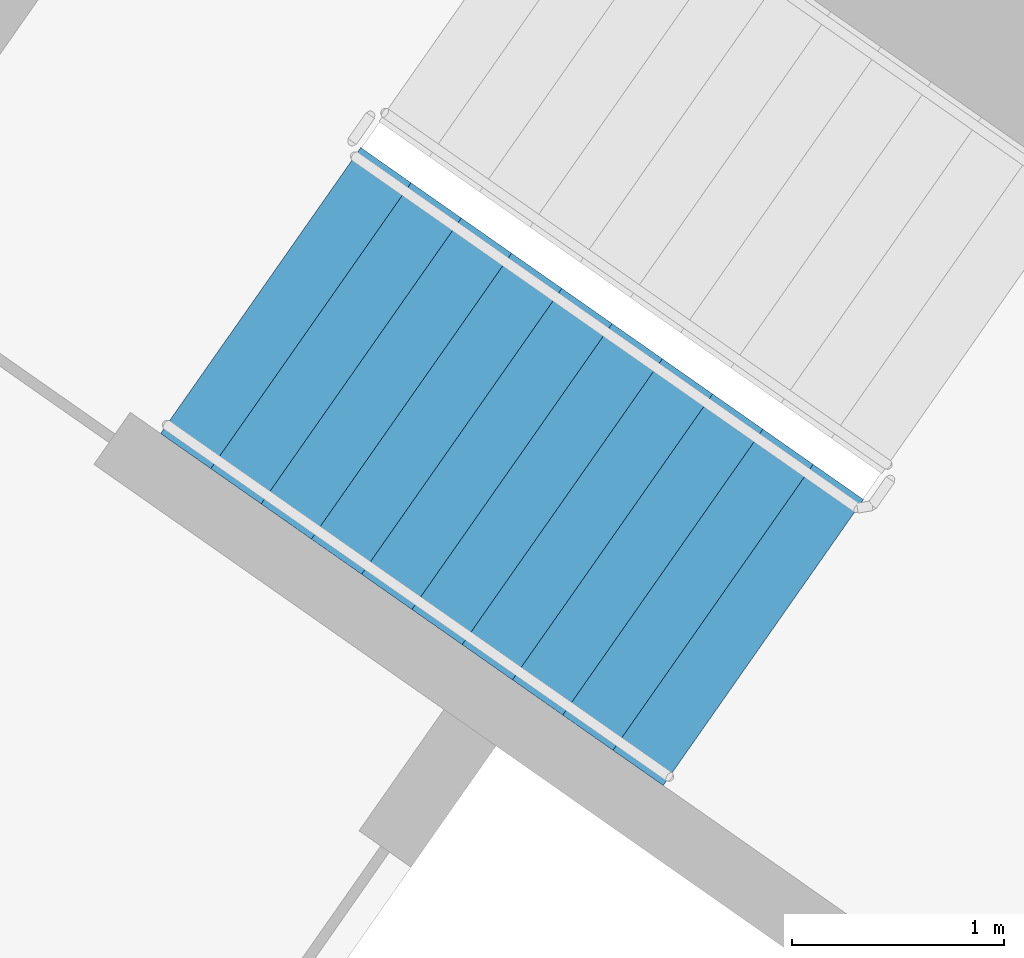
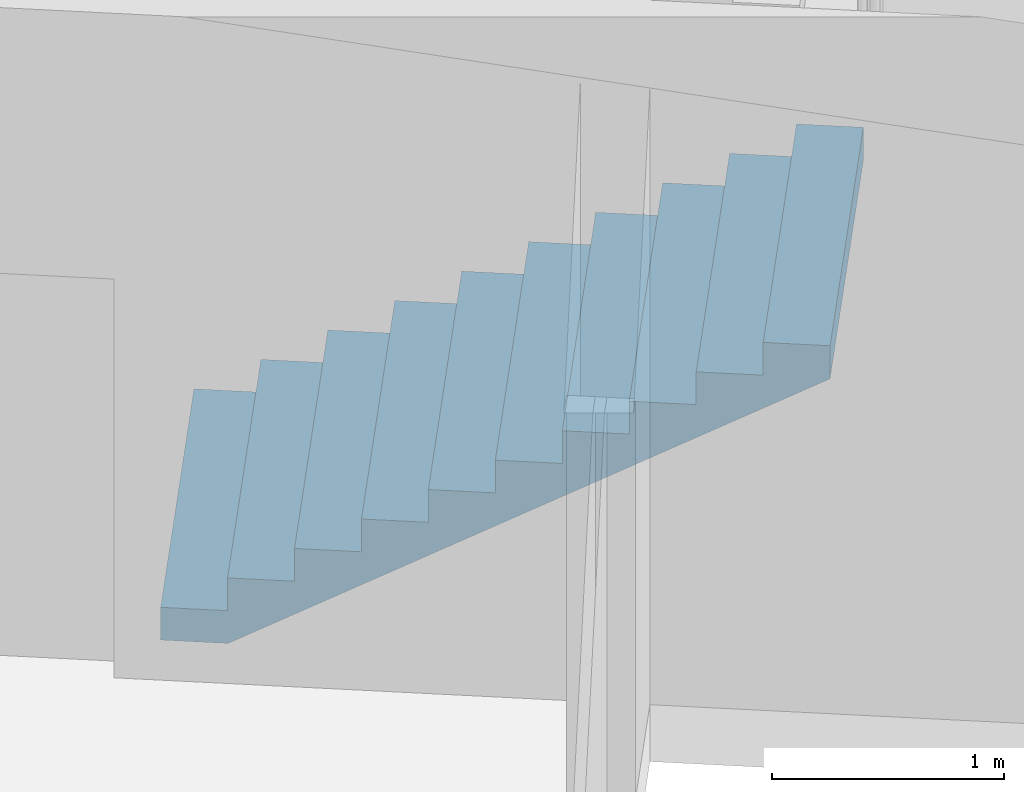
# One storey, part 11 of 27: 1 stair flight, 1 element without a shape of its own.
"""IFC4 building model written with IfcOpenShell, lengths in metres."""

from ifc_helpers import new_model, si_unit, direction, frame, origin, place, context, subcontext, project, spatial, faceted_brep, material, type_object, element, aggregate, save


model = new_model("IFC4")

# Units and contexts
model_context = context("Model", 3, precision=1e-05, world=origin(), true_north=direction((0.0, 1.0)))
body_context = subcontext(model_context, "Body", "Model", "MODEL_VIEW")
ifc_project = project(units=[si_unit("LENGTHUNIT", "METRE"), si_unit("AREAUNIT", "SQUARE_METRE"), si_unit("VOLUMEUNIT", "CUBIC_METRE"), si_unit("PLANEANGLEUNIT", "RADIAN"), si_unit("MASSUNIT", "GRAM", prefix="KILO")], contexts=[model_context])

# Site, building, storey
site_placement = place(None, origin())
site = spatial("IfcSite", under=ifc_project, at=site_placement, CompositionType="ELEMENT")
building_placement = place(site_placement, origin())
building = spatial("IfcBuilding", under=site, at=building_placement, Name="Qamariyya Broadcast Tower", CompositionType="ELEMENT")
storey_placement = place(building_placement, frame((0.0, 0.0, 237.89990234375)))
storey = spatial("IfcBuildingStorey", under=building, at=storey_placement, Name="L57", CompositionType="ELEMENT", Elevation=237.89990234375)

# Stair, stair flight
ifc_material = material(Name="Concrete C50/60", Category="concrete")
stair_type = type_object("IfcStairType", Name="Exit stair 22 risers of 173 mm", PredefinedType="HALF_TURN_STAIR", material=ifc_material)
stair_placement = place(storey_placement, origin())
stair = element("IfcStair", 1, at=stair_placement, inside=storey, type_object=stair_type, Name="L57 Stair W2", PredefinedType="HALF_TURN_STAIR")
stair_flight_type = type_object("IfcStairFlightType", Name="Exit stair flight 11 risers of 173 mm", PredefinedType="STRAIGHT", material=ifc_material)
stair_flight_placement = place(storey_placement, frame((-41.59130859375, -49.15966796875, 0.0), z_axis=(0.0, 0.0, 1.0), x_axis=(0.819152044289, -0.573576436351, 0.0)))
stair_flight = element("IfcStairFlight", 2, at=stair_flight_placement, type_object=stair_flight_type, Name="ST-W2 flight 1", NumberOfRisers=11, NumberOfTreads=10, PredefinedType="STRAIGHT", RiserHeight=0.172727273, TreadLength=0.29, context=body_context, shape_type="Brep", body=[
    faceted_brep([(0.0, 0.824951171875, 0.0), (0.0, 0.824951171875, 0.172607421875), (0.2900390625, 0.824951171875, 0.172607421875), (0.2900390625, 0.824951171875, 0.345458984375), (0.580078125, 0.824951171875, 0.345458984375), (0.580078125, 0.824951171875, 0.51806640625), (0.8701171875, 0.824951171875, 0.51806640625), (0.8701171875, 0.824951171875, 0.69091796875), (1.159912109375, 0.824951171875, 0.69091796875), (1.159912109375, 0.824951171875, 0.863525390625), (1.449951171875, 0.824951171875, 0.863525390625), (1.449951171875, 0.824951171875, 1.036376953125), (1.739990234375, 0.824951171875, 1.036376953125), (1.739990234375, 0.824951171875, 1.208984375), (2.030029296875, 0.824951171875, 1.208984375), (2.030029296875, 0.824951171875, 1.3818359375), (2.320068359375, 0.824951171875, 1.3818359375), (2.320068359375, 0.824951171875, 1.554443359375), (2.610107421875, 0.824951171875, 1.554443359375), (2.610107421875, 0.824951171875, 1.727294921875), (2.89990234375, 0.824951171875, 1.727294921875), (2.89990234375, 0.824951171875, 1.552734375), (0.29296875, 0.824951171875, 0.0), (0.29296875, -0.824951171875, 0.0), (2.89990234375, -0.824951171875, 1.552734375), (2.89990234375, -0.824951171875, 1.727294921875), (2.610107421875, -0.824951171875, 1.727294921875), (2.610107421875, -0.824951171875, 1.554443359375), (2.320068359375, -0.824951171875, 1.554443359375), (2.320068359375, -0.824951171875, 1.3818359375), (2.030029296875, -0.824951171875, 1.3818359375), (2.030029296875, -0.824951171875, 1.208984375), (1.739990234375, -0.824951171875, 1.208984375), (1.739990234375, -0.824951171875, 1.036376953125), (1.449951171875, -0.824951171875, 1.036376953125), (1.449951171875, -0.824951171875, 0.863525390625), (1.159912109375, -0.824951171875, 0.863525390625), (1.159912109375, -0.824951171875, 0.69091796875), (0.8701171875, -0.824951171875, 0.69091796875), (0.8701171875, -0.824951171875, 0.51806640625), (0.580078125, -0.824951171875, 0.51806640625), (0.580078125, -0.824951171875, 0.345458984375), (0.2900390625, -0.824951171875, 0.345458984375), (0.2900390625, -0.824951171875, 0.172607421875), (0.0, -0.824951171875, 0.172607421875), (0.0, -0.824951171875, 0.0), (0.0, 0.10009765625, 0.0), (0.0, 0.086669921875, 0.0), (0.0, 0.0732421875, 0.0), (0.0, 0.06005859375, 0.0), (0.0, 0.046630859375, 0.0), (0.0, 0.033447265625, 0.0), (0.0, 0.02001953125, 0.0), (0.0, 0.006591796875, 0.0), (0.0, -0.006591796875, 0.0), (0.0, -0.02001953125, 0.0), (0.0, -0.033447265625, 0.0), (0.0, -0.046630859375, 0.0), (0.0, -0.06005859375, 0.0), (0.0, -0.0732421875, 0.0), (0.0, -0.086669921875, 0.0), (0.0, -0.10009765625, 0.0), (0.0, -0.10009765625, 0.172607421875), (0.0, -0.086669921875, 0.172607421875), (0.0, -0.0732421875, 0.172607421875), (0.0, -0.06005859375, 0.172607421875), (0.0, -0.046630859375, 0.172607421875), (0.0, -0.033447265625, 0.172607421875), (0.0, -0.02001953125, 0.172607421875), (0.0, -0.006591796875, 0.172607421875), (0.0, 0.006591796875, 0.172607421875), (0.0, 0.02001953125, 0.172607421875), (0.0, 0.033447265625, 0.172607421875), (0.0, 0.046630859375, 0.172607421875), (0.0, 0.06005859375, 0.172607421875), (0.0, 0.0732421875, 0.172607421875), (0.0, 0.086669921875, 0.172607421875), (0.0, 0.10009765625, 0.172607421875), (0.2900390625, -0.10009765625, 0.172607421875), (0.2900390625, -0.086669921875, 0.172607421875), (0.2900390625, -0.0732421875, 0.172607421875), (0.2900390625, -0.06005859375, 0.172607421875), (0.2900390625, -0.046630859375, 0.172607421875), (0.2900390625, -0.033447265625, 0.172607421875), (0.2900390625, -0.02001953125, 0.172607421875), (0.2900390625, -0.006591796875, 0.172607421875), (0.2900390625, 0.006591796875, 0.172607421875), (0.2900390625, 0.02001953125, 0.172607421875), (0.2900390625, 0.033447265625, 0.172607421875), (0.2900390625, 0.046630859375, 0.172607421875), (0.2900390625, 0.06005859375, 0.172607421875), (0.2900390625, 0.0732421875, 0.172607421875), (0.2900390625, 0.086669921875, 0.172607421875), (0.2900390625, 0.10009765625, 0.172607421875), (0.2900390625, -0.10009765625, 0.345458984375), (0.2900390625, -0.086669921875, 0.345458984375), (0.2900390625, -0.0732421875, 0.345458984375), (0.2900390625, -0.06005859375, 0.345458984375), (0.2900390625, -0.046630859375, 0.345458984375), (0.2900390625, -0.033447265625, 0.345458984375), (0.2900390625, -0.02001953125, 0.345458984375), (0.2900390625, -0.006591796875, 0.345458984375), (0.2900390625, 0.006591796875, 0.345458984375), (0.2900390625, 0.02001953125, 0.345458984375), (0.2900390625, 0.033447265625, 0.345458984375), (0.2900390625, 0.046630859375, 0.345458984375), (0.2900390625, 0.06005859375, 0.345458984375), (0.2900390625, 0.0732421875, 0.345458984375), (0.2900390625, 0.086669921875, 0.345458984375), (0.2900390625, 0.10009765625, 0.345458984375), (0.580078125, -0.10009765625, 0.345458984375), (0.580078125, -0.086669921875, 0.345458984375), (0.580078125, -0.0732421875, 0.345458984375), (0.580078125, -0.06005859375, 0.345458984375), (0.580078125, -0.046630859375, 0.345458984375), (0.580078125, -0.033447265625, 0.345458984375), (0.580078125, -0.02001953125, 0.345458984375), (0.580078125, -0.006591796875, 0.345458984375), (0.580078125, 0.006591796875, 0.345458984375), (0.580078125, 0.02001953125, 0.345458984375), (0.580078125, 0.033447265625, 0.345458984375), (0.580078125, 0.046630859375, 0.345458984375), (0.580078125, 0.06005859375, 0.345458984375), (0.580078125, 0.0732421875, 0.345458984375), (0.580078125, 0.086669921875, 0.345458984375), (0.580078125, 0.10009765625, 0.345458984375), (0.580078125, -0.10009765625, 0.51806640625), (0.580078125, -0.086669921875, 0.51806640625), (0.580078125, -0.0732421875, 0.51806640625), (0.580078125, -0.06005859375, 0.51806640625), (0.580078125, -0.046630859375, 0.51806640625), (0.580078125, -0.033447265625, 0.51806640625), (0.580078125, -0.02001953125, 0.51806640625), (0.580078125, -0.006591796875, 0.51806640625), (0.580078125, 0.006591796875, 0.51806640625), (0.580078125, 0.02001953125, 0.51806640625), (0.580078125, 0.033447265625, 0.51806640625), (0.580078125, 0.046630859375, 0.51806640625), (0.580078125, 0.06005859375, 0.51806640625), (0.580078125, 0.0732421875, 0.51806640625), (0.580078125, 0.086669921875, 0.51806640625), (0.580078125, 0.10009765625, 0.51806640625), (0.8701171875, -0.10009765625, 0.51806640625), (0.8701171875, -0.086669921875, 0.51806640625), (0.8701171875, -0.0732421875, 0.51806640625), (0.8701171875, -0.06005859375, 0.51806640625), (0.8701171875, -0.046630859375, 0.51806640625), (0.8701171875, -0.033447265625, 0.51806640625), (0.8701171875, -0.02001953125, 0.51806640625), (0.8701171875, -0.006591796875, 0.51806640625), (0.8701171875, 0.006591796875, 0.51806640625), (0.8701171875, 0.02001953125, 0.51806640625), (0.8701171875, 0.033447265625, 0.51806640625), (0.8701171875, 0.046630859375, 0.51806640625), (0.8701171875, 0.06005859375, 0.51806640625), (0.8701171875, 0.0732421875, 0.51806640625), (0.8701171875, 0.086669921875, 0.51806640625), (0.8701171875, 0.10009765625, 0.51806640625), (0.8701171875, -0.10009765625, 0.69091796875), (0.8701171875, -0.086669921875, 0.69091796875), (0.8701171875, -0.0732421875, 0.69091796875), (0.8701171875, -0.06005859375, 0.69091796875), (0.8701171875, -0.046630859375, 0.69091796875), (0.8701171875, -0.033447265625, 0.69091796875), (0.8701171875, -0.02001953125, 0.69091796875), (0.8701171875, -0.006591796875, 0.69091796875), (0.8701171875, 0.006591796875, 0.69091796875), (0.8701171875, 0.02001953125, 0.69091796875), (0.8701171875, 0.033447265625, 0.69091796875), (0.8701171875, 0.046630859375, 0.69091796875), (0.8701171875, 0.06005859375, 0.69091796875), (0.8701171875, 0.0732421875, 0.69091796875), (0.8701171875, 0.086669921875, 0.69091796875), (0.8701171875, 0.10009765625, 0.69091796875), (1.159912109375, -0.10009765625, 0.69091796875), (1.159912109375, -0.086669921875, 0.69091796875), (1.159912109375, -0.0732421875, 0.69091796875), (1.159912109375, -0.06005859375, 0.69091796875), (1.159912109375, -0.046630859375, 0.69091796875), (1.159912109375, -0.033447265625, 0.69091796875), (1.159912109375, -0.02001953125, 0.69091796875), (1.159912109375, -0.006591796875, 0.69091796875), (1.159912109375, 0.006591796875, 0.69091796875), (1.159912109375, 0.02001953125, 0.69091796875), (1.159912109375, 0.033447265625, 0.69091796875), (1.159912109375, 0.046630859375, 0.69091796875), (1.159912109375, 0.06005859375, 0.69091796875), (1.159912109375, 0.0732421875, 0.69091796875), (1.159912109375, 0.086669921875, 0.69091796875), (1.159912109375, 0.10009765625, 0.69091796875), (1.159912109375, -0.10009765625, 0.863525390625), (1.159912109375, -0.086669921875, 0.863525390625), (1.159912109375, -0.0732421875, 0.863525390625), (1.159912109375, -0.06005859375, 0.863525390625), (1.159912109375, -0.046630859375, 0.863525390625), (1.159912109375, -0.033447265625, 0.863525390625), (1.159912109375, -0.02001953125, 0.863525390625), (1.159912109375, -0.006591796875, 0.863525390625), (1.159912109375, 0.006591796875, 0.863525390625), (1.159912109375, 0.02001953125, 0.863525390625), (1.159912109375, 0.033447265625, 0.863525390625), (1.159912109375, 0.046630859375, 0.863525390625), (1.159912109375, 0.06005859375, 0.863525390625), (1.159912109375, 0.0732421875, 0.863525390625), (1.159912109375, 0.086669921875, 0.863525390625), (1.159912109375, 0.10009765625, 0.863525390625), (1.449951171875, -0.10009765625, 0.863525390625), (1.449951171875, -0.086669921875, 0.863525390625), (1.449951171875, -0.0732421875, 0.863525390625), (1.449951171875, -0.06005859375, 0.863525390625), (1.449951171875, -0.046630859375, 0.863525390625), (1.449951171875, -0.033447265625, 0.863525390625), (1.449951171875, -0.02001953125, 0.863525390625), (1.449951171875, -0.006591796875, 0.863525390625), (1.449951171875, 0.006591796875, 0.863525390625), (1.449951171875, 0.02001953125, 0.863525390625), (1.449951171875, 0.033447265625, 0.863525390625), (1.449951171875, 0.046630859375, 0.863525390625), (1.449951171875, 0.06005859375, 0.863525390625), (1.449951171875, 0.0732421875, 0.863525390625), (1.449951171875, 0.086669921875, 0.863525390625), (1.449951171875, 0.10009765625, 0.863525390625), (1.449951171875, -0.10009765625, 1.036376953125), (1.449951171875, -0.086669921875, 1.036376953125), (1.449951171875, -0.0732421875, 1.036376953125), (1.449951171875, -0.06005859375, 1.036376953125), (1.449951171875, -0.046630859375, 1.036376953125), (1.449951171875, -0.033447265625, 1.036376953125), (1.449951171875, -0.02001953125, 1.036376953125), (1.449951171875, -0.006591796875, 1.036376953125), (1.449951171875, 0.006591796875, 1.036376953125), (1.449951171875, 0.02001953125, 1.036376953125), (1.449951171875, 0.033447265625, 1.036376953125), (1.449951171875, 0.046630859375, 1.036376953125), (1.449951171875, 0.06005859375, 1.036376953125), (1.449951171875, 0.0732421875, 1.036376953125), (1.449951171875, 0.086669921875, 1.036376953125), (1.449951171875, 0.10009765625, 1.036376953125), (1.739990234375, -0.10009765625, 1.036376953125), (1.739990234375, -0.086669921875, 1.036376953125), (1.739990234375, -0.0732421875, 1.036376953125), (1.739990234375, -0.06005859375, 1.036376953125), (1.739990234375, -0.046630859375, 1.036376953125), (1.739990234375, -0.033447265625, 1.036376953125), (1.739990234375, -0.02001953125, 1.036376953125), (1.739990234375, -0.006591796875, 1.036376953125), (1.739990234375, 0.006591796875, 1.036376953125), (1.739990234375, 0.02001953125, 1.036376953125), (1.739990234375, 0.033447265625, 1.036376953125), (1.739990234375, 0.046630859375, 1.036376953125), (1.739990234375, 0.06005859375, 1.036376953125), (1.739990234375, 0.0732421875, 1.036376953125), (1.739990234375, 0.086669921875, 1.036376953125), (1.739990234375, 0.10009765625, 1.036376953125), (1.739990234375, -0.10009765625, 1.208984375), (1.739990234375, -0.086669921875, 1.208984375), (1.739990234375, -0.0732421875, 1.208984375), (1.739990234375, -0.06005859375, 1.208984375), (1.739990234375, -0.046630859375, 1.208984375), (1.739990234375, -0.033447265625, 1.208984375), (1.739990234375, -0.02001953125, 1.208984375), (1.739990234375, -0.006591796875, 1.208984375), (1.739990234375, 0.006591796875, 1.208984375), (1.739990234375, 0.02001953125, 1.208984375), (1.739990234375, 0.033447265625, 1.208984375), (1.739990234375, 0.046630859375, 1.208984375), (1.739990234375, 0.06005859375, 1.208984375), (1.739990234375, 0.0732421875, 1.208984375), (1.739990234375, 0.086669921875, 1.208984375), (1.739990234375, 0.10009765625, 1.208984375), (2.030029296875, -0.10009765625, 1.208984375), (2.030029296875, -0.086669921875, 1.208984375), (2.030029296875, -0.0732421875, 1.208984375), (2.030029296875, -0.06005859375, 1.208984375), (2.030029296875, -0.046630859375, 1.208984375), (2.030029296875, -0.033447265625, 1.208984375), (2.030029296875, -0.02001953125, 1.208984375), (2.030029296875, -0.006591796875, 1.208984375), (2.030029296875, 0.006591796875, 1.208984375), (2.030029296875, 0.02001953125, 1.208984375), (2.030029296875, 0.033447265625, 1.208984375), (2.030029296875, 0.046630859375, 1.208984375), (2.030029296875, 0.06005859375, 1.208984375), (2.030029296875, 0.0732421875, 1.208984375), (2.030029296875, 0.086669921875, 1.208984375), (2.030029296875, 0.10009765625, 1.208984375), (2.030029296875, -0.10009765625, 1.3818359375), (2.030029296875, -0.086669921875, 1.3818359375), (2.030029296875, -0.0732421875, 1.3818359375), (2.030029296875, -0.06005859375, 1.3818359375), (2.030029296875, -0.046630859375, 1.3818359375), (2.030029296875, -0.033447265625, 1.3818359375), (2.030029296875, -0.02001953125, 1.3818359375), (2.030029296875, -0.006591796875, 1.3818359375), (2.030029296875, 0.006591796875, 1.3818359375), (2.030029296875, 0.02001953125, 1.3818359375), (2.030029296875, 0.033447265625, 1.3818359375), (2.030029296875, 0.046630859375, 1.3818359375), (2.030029296875, 0.06005859375, 1.3818359375), (2.030029296875, 0.0732421875, 1.3818359375), (2.030029296875, 0.086669921875, 1.3818359375), (2.030029296875, 0.10009765625, 1.3818359375), (2.320068359375, -0.10009765625, 1.3818359375), (2.320068359375, -0.086669921875, 1.3818359375), (2.320068359375, -0.0732421875, 1.3818359375), (2.320068359375, -0.06005859375, 1.3818359375), (2.320068359375, -0.046630859375, 1.3818359375), (2.320068359375, -0.033447265625, 1.3818359375), (2.320068359375, -0.02001953125, 1.3818359375), (2.320068359375, -0.006591796875, 1.3818359375), (2.320068359375, 0.006591796875, 1.3818359375), (2.320068359375, 0.02001953125, 1.3818359375), (2.320068359375, 0.033447265625, 1.3818359375), (2.320068359375, 0.046630859375, 1.3818359375), (2.320068359375, 0.06005859375, 1.3818359375), (2.320068359375, 0.0732421875, 1.3818359375), (2.320068359375, 0.086669921875, 1.3818359375), (2.320068359375, 0.10009765625, 1.3818359375), (2.320068359375, -0.10009765625, 1.554443359375), (2.320068359375, -0.086669921875, 1.554443359375), (2.320068359375, -0.0732421875, 1.554443359375), (2.320068359375, -0.06005859375, 1.554443359375), (2.320068359375, -0.046630859375, 1.554443359375), (2.320068359375, -0.033447265625, 1.554443359375), (2.320068359375, -0.02001953125, 1.554443359375), (2.320068359375, -0.006591796875, 1.554443359375), (2.320068359375, 0.006591796875, 1.554443359375), (2.320068359375, 0.02001953125, 1.554443359375), (2.320068359375, 0.033447265625, 1.554443359375), (2.320068359375, 0.046630859375, 1.554443359375), (2.320068359375, 0.06005859375, 1.554443359375), (2.320068359375, 0.0732421875, 1.554443359375), (2.320068359375, 0.086669921875, 1.554443359375), (2.320068359375, 0.10009765625, 1.554443359375), (2.610107421875, -0.10009765625, 1.554443359375), (2.610107421875, -0.086669921875, 1.554443359375), (2.610107421875, -0.0732421875, 1.554443359375), (2.610107421875, -0.06005859375, 1.554443359375), (2.610107421875, -0.046630859375, 1.554443359375), (2.610107421875, -0.033447265625, 1.554443359375), (2.610107421875, -0.02001953125, 1.554443359375), (2.610107421875, -0.006591796875, 1.554443359375), (2.610107421875, 0.006591796875, 1.554443359375), (2.610107421875, 0.02001953125, 1.554443359375), (2.610107421875, 0.033447265625, 1.554443359375), (2.610107421875, 0.046630859375, 1.554443359375), (2.610107421875, 0.06005859375, 1.554443359375), (2.610107421875, 0.0732421875, 1.554443359375), (2.610107421875, 0.086669921875, 1.554443359375), (2.610107421875, 0.10009765625, 1.554443359375), (2.610107421875, -0.10009765625, 1.727294921875), (2.610107421875, -0.086669921875, 1.727294921875), (2.610107421875, -0.0732421875, 1.727294921875), (2.610107421875, -0.06005859375, 1.727294921875), (2.610107421875, -0.046630859375, 1.727294921875), (2.610107421875, -0.033447265625, 1.727294921875), (2.610107421875, -0.02001953125, 1.727294921875), (2.610107421875, -0.006591796875, 1.727294921875), (2.610107421875, 0.006591796875, 1.727294921875), (2.610107421875, 0.02001953125, 1.727294921875), (2.610107421875, 0.033447265625, 1.727294921875), (2.610107421875, 0.046630859375, 1.727294921875), (2.610107421875, 0.06005859375, 1.727294921875), (2.610107421875, 0.0732421875, 1.727294921875), (2.610107421875, 0.086669921875, 1.727294921875), (2.610107421875, 0.10009765625, 1.727294921875), (2.89990234375, -0.10009765625, 1.727294921875), (2.89990234375, -0.086669921875, 1.727294921875), (2.89990234375, -0.0732421875, 1.727294921875), (2.89990234375, -0.06005859375, 1.727294921875), (2.89990234375, -0.046630859375, 1.727294921875), (2.89990234375, -0.033447265625, 1.727294921875), (2.89990234375, -0.02001953125, 1.727294921875), (2.89990234375, -0.006591796875, 1.727294921875), (2.89990234375, 0.006591796875, 1.727294921875), (2.89990234375, 0.02001953125, 1.727294921875), (2.89990234375, 0.033447265625, 1.727294921875), (2.89990234375, 0.046630859375, 1.727294921875), (2.89990234375, 0.06005859375, 1.727294921875), (2.89990234375, 0.0732421875, 1.727294921875), (2.89990234375, 0.086669921875, 1.727294921875), (2.89990234375, 0.10009765625, 1.727294921875), (2.89990234375, -0.10009765625, 1.552734375), (2.89990234375, -0.086669921875, 1.552734375), (2.89990234375, -0.0732421875, 1.552734375), (2.89990234375, -0.06005859375, 1.552734375), (2.89990234375, -0.046630859375, 1.552734375), (2.89990234375, -0.033447265625, 1.552734375), (2.89990234375, -0.02001953125, 1.552734375), (2.89990234375, -0.006591796875, 1.552734375), (2.89990234375, 0.006591796875, 1.552734375), (2.89990234375, 0.02001953125, 1.552734375), (2.89990234375, 0.033447265625, 1.552734375), (2.89990234375, 0.046630859375, 1.552734375), (2.89990234375, 0.06005859375, 1.552734375), (2.89990234375, 0.0732421875, 1.552734375), (2.89990234375, 0.086669921875, 1.552734375), (2.89990234375, 0.10009765625, 1.552734375), (0.29296875, -0.10009765625, 0.0), (0.29296875, -0.086669921875, 0.0), (0.29296875, -0.0732421875, 0.0), (0.29296875, -0.06005859375, 0.0), (0.29296875, -0.046630859375, 0.0), (0.29296875, -0.033447265625, 0.0), (0.29296875, -0.02001953125, 0.0), (0.29296875, -0.006591796875, 0.0), (0.29296875, 0.006591796875, 0.0), (0.29296875, 0.02001953125, 0.0), (0.29296875, 0.033447265625, 0.0), (0.29296875, 0.046630859375, 0.0), (0.29296875, 0.06005859375, 0.0), (0.29296875, 0.0732421875, 0.0), (0.29296875, 0.086669921875, 0.0), (0.29296875, 0.10009765625, 0.0)], [[[0, 1, 2, 3, 4, 5, 6, 7, 8, 9, 10, 11, 12, 13, 14, 15, 16, 17, 18, 19, 20, 21, 22]], [[23, 24, 25, 26, 27, 28, 29, 30, 31, 32, 33, 34, 35, 36, 37, 38, 39, 40, 41, 42, 43, 44, 45]], [[0, 46, 47, 48, 49, 50, 51, 52, 53, 54, 55, 56, 57, 58, 59, 60, 61, 45, 44, 62, 63, 64, 65, 66, 67, 68, 69, 70, 71, 72, 73, 74, 75, 76, 77, 1]], [[1, 77, 76, 75, 74, 73, 72, 71, 70, 69, 68, 67, 66, 65, 64, 63, 62, 44, 43, 78, 79, 80, 81, 82, 83, 84, 85, 86, 87, 88, 89, 90, 91, 92, 93, 2]], [[2, 93, 92, 91, 90, 89, 88, 87, 86, 85, 84, 83, 82, 81, 80, 79, 78, 43, 42, 94, 95, 96, 97, 98, 99, 100, 101, 102, 103, 104, 105, 106, 107, 108, 109, 3]], [[3, 109, 108, 107, 106, 105, 104, 103, 102, 101, 100, 99, 98, 97, 96, 95, 94, 42, 41, 110, 111, 112, 113, 114, 115, 116, 117, 118, 119, 120, 121, 122, 123, 124, 125, 4]], [[4, 125, 124, 123, 122, 121, 120, 119, 118, 117, 116, 115, 114, 113, 112, 111, 110, 41, 40, 126, 127, 128, 129, 130, 131, 132, 133, 134, 135, 136, 137, 138, 139, 140, 141, 5]], [[5, 141, 140, 139, 138, 137, 136, 135, 134, 133, 132, 131, 130, 129, 128, 127, 126, 40, 39, 142, 143, 144, 145, 146, 147, 148, 149, 150, 151, 152, 153, 154, 155, 156, 157, 6]], [[6, 157, 156, 155, 154, 153, 152, 151, 150, 149, 148, 147, 146, 145, 144, 143, 142, 39, 38, 158, 159, 160, 161, 162, 163, 164, 165, 166, 167, 168, 169, 170, 171, 172, 173, 7]], [[7, 173, 172, 171, 170, 169, 168, 167, 166, 165, 164, 163, 162, 161, 160, 159, 158, 38, 37, 174, 175, 176, 177, 178, 179, 180, 181, 182, 183, 184, 185, 186, 187, 188, 189, 8]], [[8, 189, 188, 187, 186, 185, 184, 183, 182, 181, 180, 179, 178, 177, 176, 175, 174, 37, 36, 190, 191, 192, 193, 194, 195, 196, 197, 198, 199, 200, 201, 202, 203, 204, 205, 9]], [[9, 205, 204, 203, 202, 201, 200, 199, 198, 197, 196, 195, 194, 193, 192, 191, 190, 36, 35, 206, 207, 208, 209, 210, 211, 212, 213, 214, 215, 216, 217, 218, 219, 220, 221, 10]], [[10, 221, 220, 219, 218, 217, 216, 215, 214, 213, 212, 211, 210, 209, 208, 207, 206, 35, 34, 222, 223, 224, 225, 226, 227, 228, 229, 230, 231, 232, 233, 234, 235, 236, 237, 11]], [[11, 237, 236, 235, 234, 233, 232, 231, 230, 229, 228, 227, 226, 225, 224, 223, 222, 34, 33, 238, 239, 240, 241, 242, 243, 244, 245, 246, 247, 248, 249, 250, 251, 252, 253, 12]], [[12, 253, 252, 251, 250, 249, 248, 247, 246, 245, 244, 243, 242, 241, 240, 239, 238, 33, 32, 254, 255, 256, 257, 258, 259, 260, 261, 262, 263, 264, 265, 266, 267, 268, 269, 13]], [[13, 269, 268, 267, 266, 265, 264, 263, 262, 261, 260, 259, 258, 257, 256, 255, 254, 32, 31, 270, 271, 272, 273, 274, 275, 276, 277, 278, 279, 280, 281, 282, 283, 284, 285, 14]], [[14, 285, 284, 283, 282, 281, 280, 279, 278, 277, 276, 275, 274, 273, 272, 271, 270, 31, 30, 286, 287, 288, 289, 290, 291, 292, 293, 294, 295, 296, 297, 298, 299, 300, 301, 15]], [[15, 301, 300, 299, 298, 297, 296, 295, 294, 293, 292, 291, 290, 289, 288, 287, 286, 30, 29, 302, 303, 304, 305, 306, 307, 308, 309, 310, 311, 312, 313, 314, 315, 316, 317, 16]], [[16, 317, 316, 315, 314, 313, 312, 311, 310, 309, 308, 307, 306, 305, 304, 303, 302, 29, 28, 318, 319, 320, 321, 322, 323, 324, 325, 326, 327, 328, 329, 330, 331, 332, 333, 17]], [[17, 333, 332, 331, 330, 329, 328, 327, 326, 325, 324, 323, 322, 321, 320, 319, 318, 28, 27, 334, 335, 336, 337, 338, 339, 340, 341, 342, 343, 344, 345, 346, 347, 348, 349, 18]], [[18, 349, 348, 347, 346, 345, 344, 343, 342, 341, 340, 339, 338, 337, 336, 335, 334, 27, 26, 350, 351, 352, 353, 354, 355, 356, 357, 358, 359, 360, 361, 362, 363, 364, 365, 19]], [[19, 365, 364, 363, 362, 361, 360, 359, 358, 357, 356, 355, 354, 353, 352, 351, 350, 26, 25, 366, 367, 368, 369, 370, 371, 372, 373, 374, 375, 376, 377, 378, 379, 380, 381, 20]], [[20, 381, 380, 379, 378, 377, 376, 375, 374, 373, 372, 371, 370, 369, 368, 367, 366, 25, 24, 382, 383, 384, 385, 386, 387, 388, 389, 390, 391, 392, 393, 394, 395, 396, 397, 21]], [[21, 397, 396, 395, 394, 393, 392, 391, 390, 389, 388, 387, 386, 385, 384, 383, 382, 24, 23, 398, 399, 400, 401, 402, 403, 404, 405, 406, 407, 408, 409, 410, 411, 412, 413, 22]], [[22, 413, 412, 411, 410, 409, 408, 407, 406, 405, 404, 403, 402, 401, 400, 399, 398, 23, 45, 61, 60, 59, 58, 57, 56, 55, 54, 53, 52, 51, 50, 49, 48, 47, 46, 0]]]),
])
aggregate(stair, [stair_flight])

save(model, "model.ifc")
